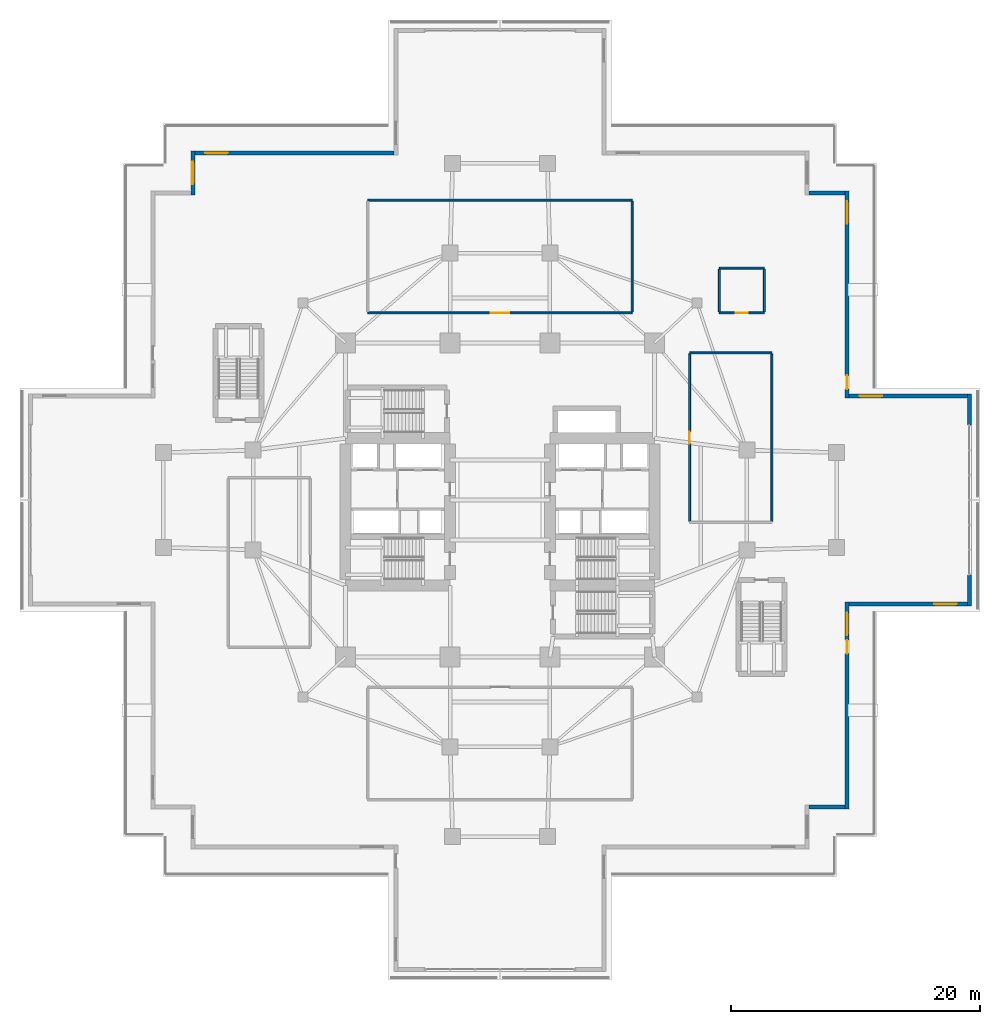
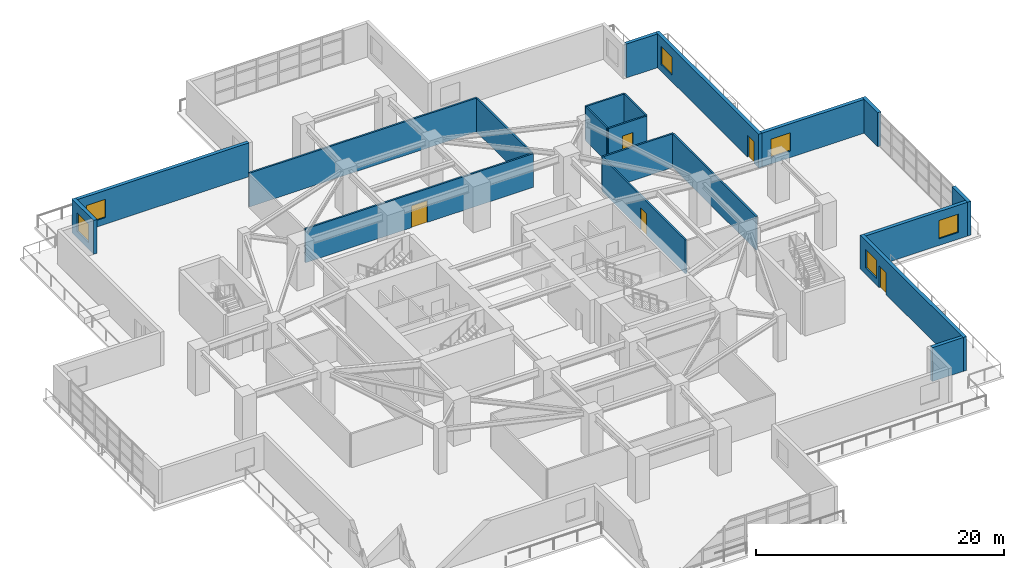
# One storey, part 15 of 23: 20 walls, 6 windows, 5 doors, 11 openings.
"""IFC4 building model written with IfcOpenShell, lengths in metres."""

import ifcopenshell
import ifcopenshell.guid

model = None  # the IFC model being written
_history = None  # IfcOwnerHistory: only IFC2X3 demands one
_inside = {}  # id of a spatial element -> (the spatial element, [elements in it])
_under = {}  # id of a project, library or spatial element -> (it, [spatial elements below it])
_declared = {}  # id of a project -> (the project, [libraries it declares])
_typed = {}  # id of a type object -> (the type object, [elements of that type])
_made_of = {}  # id of a material, layer set ... -> (it, [elements and type objects made of it])


def new_model(schema):
    """Start an empty IFC model of exactly this schema.

    Asked for "IFC4X3", IfcOpenShell would pick the latest addendum, in which some entities
    have other attributes; the version numbers below select the first issue.
    IFC2X3 requires an IfcOwnerHistory on every rooted entity: one is made here for all.
    """
    global model, _history
    if schema == "IFC4X3":
        model = ifcopenshell.file(schema_version=(4, 3, 0, 0))
    else:
        model = ifcopenshell.file(schema=schema)
    _inside.clear()
    _under.clear()
    _declared.clear()
    _typed.clear()
    _made_of.clear()
    _history = None
    if model.schema == "IFC2X3":
        org = make("IfcOrganization", Name="unknown")
        user = make(
            "IfcPersonAndOrganization",
            ThePerson=make("IfcPerson", FamilyName="unknown"),
            TheOrganization=org,
        )
        app = make(
            "IfcApplication",
            ApplicationDeveloper=org,
            Version="unknown",
            ApplicationFullName="unknown",
            ApplicationIdentifier="unknown",
        )
        _history = make(
            "IfcOwnerHistory",
            OwningUser=user,
            OwningApplication=app,
            ChangeAction="ADDED",
            CreationDate=0,
        )
    return model


def make(cls, **values):
    """One entity of the class cls with the attributes given. An attribute that is None is left unset."""
    return model.create_entity(
        cls, **{name: value for name, value in values.items() if value is not None}
    )


def rooted(cls, **values):
    """An entity with a GlobalId (a new one), such as an element, a storey or a relation."""
    return make(cls, GlobalId=ifcopenshell.guid.new(), OwnerHistory=_history, **values)


def si_unit(unit_type, name, prefix=None):
    """IfcSIUnit, for example si_unit("LENGTHUNIT", "METRE", prefix="MILLI")."""
    return make("IfcSIUnit", UnitType=unit_type, Prefix=prefix, Name=name)


def assignment(units):
    """IfcUnitAssignment: the units of a project."""
    return None if units is None else make("IfcUnitAssignment", Units=units)


def point(xyz):
    """IfcCartesianPoint."""
    return None if xyz is None else make("IfcCartesianPoint", Coordinates=xyz)


def direction(xyz):
    """IfcDirection."""
    return None if xyz is None else make("IfcDirection", DirectionRatios=xyz)


def frame(location, z_axis=None, x_axis=None):
    """IfcAxis2Placement3D, a coordinate frame: its origin and axes. An axis left out is left unset."""
    return make(
        "IfcAxis2Placement3D",
        Location=point(location),
        Axis=direction(z_axis),
        RefDirection=direction(x_axis),
    )


def frame_2d(location, x_axis=None):
    """IfcAxis2Placement2D, a coordinate frame in the plane: its origin and x axis."""
    return make(
        "IfcAxis2Placement2D", Location=point(location), RefDirection=direction(x_axis)
    )


def origin():
    """The frame at (0, 0, 0) with its axes left unset."""
    return frame((0.0, 0.0, 0.0))


def place(relative_to, where):
    """IfcLocalPlacement: puts the frame where relative to a parent placement (None: the world)."""
    return make(
        "IfcLocalPlacement", PlacementRelTo=relative_to, RelativePlacement=where
    )


def context(
    kind, dimensions, precision=None, world=None, true_north=None, identifier=None
):
    """IfcGeometricRepresentationContext, for example the 3D "Model" context."""
    return make(
        "IfcGeometricRepresentationContext",
        ContextIdentifier=identifier,
        ContextType=kind,
        CoordinateSpaceDimension=dimensions,
        Precision=precision,
        WorldCoordinateSystem=world,
        TrueNorth=true_north,
    )


def subcontext(parent, identifier, kind, view, scale=None):
    """IfcGeometricRepresentationSubContext, for example "Body" below "Model"."""
    return make(
        "IfcGeometricRepresentationSubContext",
        ContextIdentifier=identifier,
        ContextType=kind,
        ParentContext=parent,
        TargetScale=scale,
        TargetView=view,
    )


def project(units=None, contexts=None):
    """IfcProject with its units and contexts."""
    return rooted(
        "IfcProject",
        Name="project",
        RepresentationContexts=contexts,
        UnitsInContext=assignment(units),
    )


def spatial(cls, under=None, at=None, **own):
    """A site, building, storey or space (cls), placed at a placement, below another one or the project."""
    s = rooted(cls, ObjectPlacement=at, **own)
    if under is not None:
        _under.setdefault(under.id(), (under, []))[1].append(s)
    return s


def profile(cls, at=None, kind="AREA", **sizes):
    """A parametric profile (cls). Its sizes go by their IFC names, for example OverallWidth=200.0."""
    return make(cls, ProfileType=kind, Position=at, **sizes)


def rectangle(**sizes):
    """IfcRectangleProfileDef."""
    return profile("IfcRectangleProfileDef", **sizes)


def extrude(swept, where, along, depth):
    """IfcExtrudedAreaSolid: the profile swept, set in the frame where, extruded along a direction by depth."""
    return make(
        "IfcExtrudedAreaSolid",
        SweptArea=swept,
        Position=where,
        ExtrudedDirection=direction(along),
        Depth=depth,
    )


def shape(context_of_items, identifier, shape_type, items):
    """IfcShapeRepresentation: the items that make up one representation, for example the "Body"."""
    return make(
        "IfcShapeRepresentation",
        ContextOfItems=context_of_items,
        RepresentationIdentifier=identifier,
        RepresentationType=shape_type,
        Items=items,
    )


def material(Name=None, Category=None):
    """IfcMaterial."""
    return make("IfcMaterial", Name=Name, Category=Category)


def layer(
    of_material, thickness, ventilated=None, Name=None, Category=None, Priority=None
):
    """IfcMaterialLayer: one layer of a wall or slab, of a material (None: an air gap)."""
    return make(
        "IfcMaterialLayer",
        Material=of_material,
        LayerThickness=thickness,
        IsVentilated=ventilated,
        Name=Name,
        Category=Category,
        Priority=Priority,
    )


def layer_set(layers, Name=None):
    """IfcMaterialLayerSet."""
    return make("IfcMaterialLayerSet", MaterialLayers=layers, LayerSetName=Name)


def made_of(thing, what):
    """Note that an element or type object is made of a material, layer set ...; save() writes the relation."""
    if what is not None:
        _made_of.setdefault(what.id(), (what, []))[1].append(thing)
    return thing


def type_object(cls, material=None, **own):
    """A type object (cls), such as IfcWallType, which elements share."""
    return made_of(rooted(cls, **own), material)


def element(
    cls,
    number,
    at=None,
    inside=None,
    cuts=None,
    type_object=None,
    material=None,
    context=None,
    identifier="Body",
    shape_type=None,
    held_by="IfcProductDefinitionShape",
    body=None,
    shapes=None,
    **own,
):
    """One element of the class cls, such as IfcWall. Its Tag is "e" and its number.

    at: its placement. inside: the storey or other place that contains it. cuts: it is an
    opening in that element (IfcRelVoidsElement). A single representation is given by context,
    identifier, shape_type and body (its items); several are given by shapes. held_by: the class
    of the entity that holds the representations. save() writes the other relations.
    """
    e = rooted(cls, Tag="e%d" % number, ObjectPlacement=at, **own)
    if body is not None:
        shapes = [shape(context, identifier, shape_type, body)]
    if shapes is not None:
        e.Representation = make(held_by, Representations=shapes)
    if inside is not None:
        _inside.setdefault(inside.id(), (inside, []))[1].append(e)
    if cuts is not None:
        rooted(
            "IfcRelVoidsElement", RelatingBuildingElement=cuts, RelatedOpeningElement=e
        )
    if type_object is not None:
        _typed.setdefault(type_object.id(), (type_object, []))[1].append(e)
    return made_of(e, material)


def fill(opening, filler):
    """IfcRelFillsElement: the door or window that sits in an opening."""
    return rooted(
        "IfcRelFillsElement",
        RelatingOpeningElement=opening,
        RelatedBuildingElement=filler,
    )


def aggregate(whole, parts):
    """IfcRelAggregates: a whole, such as a stair, and the parts it consists of."""
    return rooted("IfcRelAggregates", RelatingObject=whole, RelatedObjects=parts)


def save(model, path):
    """Write the relations noted so far, then the file.

    IfcRelAggregates (storeys below a building ...), IfcRelContainedInSpatialStructure (elements
    in a storey), IfcRelDefinesByType, IfcRelAssociatesMaterial and IfcRelDeclares: one each for
    every whole, place, type object, material and project.
    """
    for whole, parts in _under.values():
        aggregate(whole, parts)
    for where, things in _inside.values():
        rooted(
            "IfcRelContainedInSpatialStructure",
            RelatedElements=things,
            RelatingStructure=where,
        )
    for kind, things in _typed.values():
        rooted("IfcRelDefinesByType", RelatedObjects=things, RelatingType=kind)
    for what, things in _made_of.values():
        rooted("IfcRelAssociatesMaterial", RelatedObjects=things, RelatingMaterial=what)
    for by, libraries in _declared.values():
        rooted("IfcRelDeclares", RelatingContext=by, RelatedDefinitions=libraries)
    model.write(path)


model = new_model("IFC4")

# Units and contexts
model_context = context("Model", 3, precision=1e-05, world=origin(), true_north=direction((0.0, 1.0)))
body_context = subcontext(model_context, "Body", "Model", "MODEL_VIEW")
ifc_project = project(units=[si_unit("LENGTHUNIT", "METRE"), si_unit("AREAUNIT", "SQUARE_METRE"), si_unit("VOLUMEUNIT", "CUBIC_METRE"), si_unit("PLANEANGLEUNIT", "RADIAN"), si_unit("MASSUNIT", "GRAM", prefix="KILO")], contexts=[model_context])

# Site, building, storey
site_placement = place(None, origin())
site = spatial("IfcSite", under=ifc_project, at=site_placement, CompositionType="ELEMENT")
building_placement = place(site_placement, origin())
building = spatial("IfcBuilding", under=site, at=building_placement, Name="Qingluan Cross Belvedere", CompositionType="ELEMENT")
storey_placement = place(building_placement, frame((0.0, 0.0, 10.199951171875)))
storey = spatial("IfcBuildingStorey", under=building, at=storey_placement, Name="L03", CompositionType="ELEMENT", Elevation=10.199951171875)

# Wall, opening, door
ifc_material_1 = material(Name="Gypsum plasterboard on steel stud acoustic partition", Category="steel")
ifc_layer_1 = layer(ifc_material_1, 0.159912109375, Name="CorridorPartition_160")
ifc_layer_set_1 = layer_set([ifc_layer_1], Name="Gypsum plasterboard on steel stud acoustic partition")
wall_type_1 = type_object("IfcWallType", Name="CorridorPartition_160", PredefinedType="PARTITIONING", material=ifc_layer_set_1)
wall_1_placement = place(storey_placement, frame((-10.60009765625, 15.0, 0.0), z_axis=(0.0, 0.0, 1.0), x_axis=(1.0, 0.0, 0.0)))
wall_1 = element("IfcWall", 1, at=wall_1_placement, inside=storey, type_object=wall_type_1, Name="Partition L03:pod_n:S", PredefinedType="PARTITIONING", context=body_context, shape_type="SweptSolid", body=[
    extrude(rectangle(XDim=21.2001953125, YDim=0.159912109375, at=frame_2d((10.60009765625, 0.0))), origin(), (0.0, 0.0, 1.0), 3.320068359375),
])
opening_1_placement = place(wall_1_placement, frame((9.85009765625, 0.0, 0.0)))
opening_1 = element("IfcOpeningElement", 2, at=opening_1_placement, cuts=wall_1, Name="Opening FD-A15", PredefinedType="OPENING", context=body_context, shape_type="SweptSolid", body=[
    extrude(rectangle(XDim=1.5, YDim=2.14990234375, at=frame_2d((0.75, 1.074951171875))), frame((0.0, 0.08984375, 0.0), z_axis=(0.0, -1.0, 0.0), x_axis=(1.0, 0.0, 0.0)), (0.0, 0.0, 1.0), 0.179931640625),
])
ifc_material_2 = material(Name="Insulated steel Class A double fire door", Category="steel")
door_type_1 = type_object("IfcDoorType", Name="PlantDoubleFireDoor_FDA", OperationType="DOUBLE_DOOR_SINGLE_SWING", PredefinedType="DOOR", material=ifc_material_2)
door_1_placement = place(opening_1_placement, origin())
door_1 = element("IfcDoor", 3, at=door_1_placement, inside=storey, type_object=door_type_1, Name="Executive boardroom suite North L03 door", OperationType="DOUBLE_DOOR_SINGLE_SWING", OverallHeight=2.14990234375, OverallWidth=1.5, PredefinedType="DOOR", context=body_context, shape_type="SweptSolid", body=[
    extrude(rectangle(XDim=1.5, YDim=2.14990234375, at=frame_2d((0.75, 1.074951171875))), frame((0.0, 0.02490234375, 0.0), z_axis=(0.0, -1.0, 0.0), x_axis=(1.0, 0.0, 0.0)), (0.0, 0.0, 1.0), 0.050048828125),
])
fill(opening_1, door_1)

# Walls
wall_2_placement = place(storey_placement, frame((-10.60009765625, 24.050048828125, 0.0), z_axis=(0.0, 0.0, 1.0), x_axis=(1.0, 0.0, 0.0)))
element("IfcWall", 4, at=wall_2_placement, inside=storey, type_object=wall_type_1, Name="Partition L03:pod_n:N", PredefinedType="PARTITIONING", context=body_context, shape_type="SweptSolid", body=[
    extrude(rectangle(XDim=21.2001953125, YDim=0.159912109375, at=frame_2d((10.60009765625, 0.0))), origin(), (0.0, 0.0, 1.0), 3.320068359375),
])
wall_3_placement = place(storey_placement, frame((10.60009765625, 15.0849609375, 0.0), z_axis=(0.0, 0.0, 1.0), x_axis=(0.0, 1.0, 0.0)))
element("IfcWall", 5, at=wall_3_placement, inside=storey, type_object=wall_type_1, Name="Partition L03:pod_n:E", PredefinedType="PARTITIONING", context=body_context, shape_type="SweptSolid", body=[
    extrude(rectangle(XDim=8.880126953125, YDim=0.159912109375, at=frame_2d((4.43994140625, 0.0))), origin(), (0.0, 0.0, 1.0), 3.320068359375),
])
wall_4_placement = place(storey_placement, frame((15.199951171875, 11.800048828125, 0.0), z_axis=(0.0, 0.0, 1.0), x_axis=(1.0, 0.0, 0.0)))
element("IfcWall", 6, at=wall_4_placement, inside=storey, type_object=wall_type_1, Name="Partition L03:pod_e:N", PredefinedType="PARTITIONING", context=body_context, shape_type="SweptSolid", body=[
    extrude(rectangle(XDim=6.60009765625, YDim=0.159912109375, at=frame_2d((3.300048828125, 0.0))), origin(), (0.0, 0.0, 1.0), 3.320068359375),
])

# Wall, opening, door
wall_5_placement = place(storey_placement, frame((15.199951171875, -1.715087890625, 0.0), z_axis=(0.0, 0.0, 1.0), x_axis=(0.0, 1.0, 0.0)))
wall_5 = element("IfcWall", 7, at=wall_5_placement, inside=storey, type_object=wall_type_1, Name="Partition L03:pod_e:W", PredefinedType="PARTITIONING", context=body_context, shape_type="SweptSolid", body=[
    extrude(rectangle(XDim=13.43017578125, YDim=0.159912109375, at=frame_2d((6.715087890625, 0.0))), origin(), (0.0, 0.0, 1.0), 3.320068359375),
])
opening_2_placement = place(wall_5_placement, frame((6.235107421875, 0.0, 0.0)))
opening_2 = element("IfcOpeningElement", 8, at=opening_2_placement, cuts=wall_5, Name="Opening GD-10", PredefinedType="OPENING", context=body_context, shape_type="SweptSolid", body=[
    extrude(rectangle(XDim=0.9599609375, YDim=2.14990234375, at=frame_2d((0.47998046875, 1.074951171875))), frame((0.0, 0.08984375, 0.0), z_axis=(0.0, -1.0, 0.0), x_axis=(1.0, 0.0, 0.0)), (0.0, 0.0, 1.0), 0.179931640625),
])
ifc_material_3 = material(Name="Timber oak fire-rated acoustic guestroom door", Category="wood")
door_type_2 = type_object("IfcDoorType", Name="GuestEntryDoor_FD60", OperationType="NOTDEFINED", PredefinedType="DOOR", material=ifc_material_3)
door_2_placement = place(opening_2_placement, origin())
door_2 = element("IfcDoor", 9, at=door_2_placement, inside=storey, type_object=door_type_2, Name="Business centre offices East L03 door", OperationType="SINGLE_SWING_RIGHT", OverallHeight=2.14990234375, OverallWidth=0.9599609375, PredefinedType="DOOR", context=body_context, shape_type="SweptSolid", body=[
    extrude(rectangle(XDim=0.9599609375, YDim=2.14990234375, at=frame_2d((0.47998046875, 1.074951171875))), frame((0.0, 0.02490234375, 0.0), z_axis=(0.0, -1.0, 0.0), x_axis=(1.0, 0.0, 0.0)), (0.0, 0.0, 1.0), 0.050048828125),
])
fill(opening_2, door_2)

# Wall
wall_6_placement = place(storey_placement, frame((21.800048828125, -1.715087890625, 0.0), z_axis=(0.0, 0.0, 1.0), x_axis=(0.0, 1.0, 0.0)))
element("IfcWall", 10, at=wall_6_placement, inside=storey, type_object=wall_type_1, Name="Partition L03:pod_e:E", PredefinedType="PARTITIONING", context=body_context, shape_type="SweptSolid", body=[
    extrude(rectangle(XDim=13.43017578125, YDim=0.159912109375, at=frame_2d((6.715087890625, 0.0))), origin(), (0.0, 0.0, 1.0), 3.320068359375),
])

# Wall, opening, door
wall_7_placement = place(storey_placement, frame((17.60009765625, 15.0, 0.0), z_axis=(0.0, 0.0, 1.0), x_axis=(1.0, 0.0, 0.0)))
wall_7 = element("IfcWall", 11, at=wall_7_placement, inside=storey, type_object=wall_type_1, Name="Partition L03:pod_wc:S", PredefinedType="PARTITIONING", context=body_context, shape_type="SweptSolid", body=[
    extrude(rectangle(XDim=3.599853515625, YDim=0.159912109375, at=frame_2d((1.7998046875, 0.0))), origin(), (0.0, 0.0, 1.0), 3.320068359375),
])
opening_3_placement = place(wall_7_placement, frame((1.320068359375, 0.0, 0.0)))
opening_3 = element("IfcOpeningElement", 12, at=opening_3_placement, cuts=wall_7, Name="Opening GD-10", PredefinedType="OPENING", context=body_context, shape_type="SweptSolid", body=[
    extrude(rectangle(XDim=0.9599609375, YDim=2.14990234375, at=frame_2d((0.47998046875, 1.074951171875))), frame((0.0, 0.08984375, 0.0), z_axis=(0.0, -1.0, 0.0), x_axis=(1.0, 0.0, 0.0)), (0.0, 0.0, 1.0), 0.179931640625),
])
door_3_placement = place(opening_3_placement, origin())
door_3 = element("IfcDoor", 13, at=door_3_placement, inside=storey, type_object=door_type_2, Name="Public washrooms L03 door", OperationType="SINGLE_SWING_RIGHT", OverallHeight=2.14990234375, OverallWidth=0.9599609375, PredefinedType="DOOR", context=body_context, shape_type="SweptSolid", body=[
    extrude(rectangle(XDim=0.9599609375, YDim=2.14990234375, at=frame_2d((0.47998046875, 1.074951171875))), frame((0.0, 0.02490234375, 0.0), z_axis=(0.0, -1.0, 0.0), x_axis=(1.0, 0.0, 0.0)), (0.0, 0.0, 1.0), 0.050048828125),
])
fill(opening_3, door_3)

# Walls
wall_8_placement = place(storey_placement, frame((17.60009765625, 18.60009765625, 0.0), z_axis=(0.0, 0.0, 1.0), x_axis=(1.0, 0.0, 0.0)))
element("IfcWall", 14, at=wall_8_placement, inside=storey, type_object=wall_type_1, Name="Partition L03:pod_wc:N", PredefinedType="PARTITIONING", context=body_context, shape_type="SweptSolid", body=[
    extrude(rectangle(XDim=3.599853515625, YDim=0.159912109375, at=frame_2d((1.7998046875, 0.0))), origin(), (0.0, 0.0, 1.0), 3.320068359375),
])
for number, where, z_axis, x_axis, name in (
    (15, (17.60009765625, 15.0849609375, 0.0), (0.0, 0.0, 1.0), (0.0, 1.0, 0.0), "Partition L03:pod_wc:W"),
    (16, (21.199951171875, 15.0849609375, 0.0), (0.0, 0.0, 1.0), (0.0, 1.0, 0.0), "Partition L03:pod_wc:E"),
):
    element("IfcWall", number, at=place(storey_placement, frame(where, z_axis=z_axis, x_axis=x_axis)), inside=storey, type_object=wall_type_1, Name=name, PredefinedType="PARTITIONING", context=body_context, shape_type="SweptSolid", body=[
        extrude(rectangle(XDim=3.429931640625, YDim=0.159912109375, at=frame_2d((1.71484375, 0.0))), origin(), (0.0, 0.0, 1.0), 3.320068359375),
    ])

# Wall, opening, window
ifc_material_4 = material(Name="Precast concrete C45", Category="concrete")
ifc_layer_2 = layer(ifc_material_4, 0.320068359375, Name="PrecastPodiumWall_320")
ifc_layer_set_2 = layer_set([ifc_layer_2], Name="Precast concrete C45")
wall_type_2 = type_object("IfcWallType", Name="PrecastPodiumWall_320", PredefinedType="STANDARD", material=ifc_layer_set_2)
wall_9_placement = place(storey_placement, frame((-24.639892578125, 24.47998046875, 0.0), z_axis=(0.0, 0.0, 1.0), x_axis=(0.0, 1.0, 0.0)))
wall_9 = element("IfcWall", 17, at=wall_9_placement, inside=storey, type_object=wall_type_2, Name="Podium precast facade wall L03-S16", PredefinedType="STANDARD", context=body_context, shape_type="SweptSolid", body=[
    extrude(rectangle(XDim=3.52001953125, YDim=0.320068359375, at=frame_2d((1.760009765625, 0.0))), origin(), (0.0, 0.0, 1.0), 3.330078125),
])
opening_4_placement = place(wall_9_placement, frame((0.85009765625, 0.0, 0.64990234375)))
opening_4 = element("IfcOpeningElement", 18, at=opening_4_placement, cuts=wall_9, Name="Opening W-06", PredefinedType="OPENING", context=body_context, shape_type="SweptSolid", body=[
    extrude(rectangle(XDim=1.800048828125, YDim=1.800048828125, at=frame_2d((0.89990234375, 0.89990234375))), frame((0.0, 0.169921875, 0.0), z_axis=(0.0, -1.0, 0.0), x_axis=(1.0, 0.0, 0.0)), (0.0, 0.0, 1.0), 0.340087890625),
])
ifc_material_5 = material(Name="Thermally broken triple Low-E glass in aluminium frame", Category="aluminium")
window_type = type_object("IfcWindowType", Name="PodiumGalleryWin_1800x1800", PartitioningType="SINGLE_PANEL", PredefinedType="WINDOW", material=ifc_material_5)
window_1_placement = place(opening_4_placement, origin())
window_1 = element("IfcWindow", 19, at=window_1_placement, inside=storey, type_object=window_type, Name="Podium gallery window L03-S16", OverallHeight=1.800048828125, OverallWidth=1.800048828125, PartitioningType="SINGLE_PANEL", PredefinedType="WINDOW", context=body_context, shape_type="SweptSolid", body=[
    extrude(rectangle(XDim=1.800048828125, YDim=1.800048828125, at=frame_2d((0.89990234375, 0.89990234375))), frame((0.0, 0.030029296875, 0.0), z_axis=(0.0, -1.0, 0.0), x_axis=(1.0, 0.0, 0.0)), (0.0, 0.0, 1.0), 0.06005859375),
])
fill(opening_4, window_1)

wall_10_placement = place(storey_placement, frame((-24.47998046875, 27.840087890625, 0.0), z_axis=(0.0, 0.0, 1.0), x_axis=(1.0, 0.0, 0.0)))
wall_10 = element("IfcWall", 20, at=wall_10_placement, inside=storey, type_object=wall_type_2, Name="Podium precast facade wall L03-S17", PredefinedType="STANDARD", context=body_context, shape_type="SweptSolid", body=[
    extrude(rectangle(XDim=15.97998046875, YDim=0.320068359375, at=frame_2d((7.989990234375, 0.0))), origin(), (0.0, 0.0, 1.0), 3.330078125),
])
opening_5_placement = place(wall_10_placement, frame((0.85009765625, 0.0, 0.64990234375)))
opening_5 = element("IfcOpeningElement", 21, at=opening_5_placement, cuts=wall_10, Name="Opening W-06", PredefinedType="OPENING", context=body_context, shape_type="SweptSolid", body=[
    extrude(rectangle(XDim=1.800048828125, YDim=1.800048828125, at=frame_2d((0.89990234375, 0.89990234375))), frame((0.0, 0.169921875, 0.0), z_axis=(0.0, -1.0, 0.0), x_axis=(1.0, 0.0, 0.0)), (0.0, 0.0, 1.0), 0.340087890625),
])
window_2_placement = place(opening_5_placement, origin())
window_2 = element("IfcWindow", 22, at=window_2_placement, inside=storey, type_object=window_type, Name="Podium gallery window L03-S17", OverallHeight=1.800048828125, OverallWidth=1.800048828125, PartitioningType="SINGLE_PANEL", PredefinedType="WINDOW", context=body_context, shape_type="SweptSolid", body=[
    extrude(rectangle(XDim=1.800048828125, YDim=1.800048828125, at=frame_2d((0.89990234375, 0.89990234375))), frame((0.0, 0.030029296875, 0.0), z_axis=(0.0, -1.0, 0.0), x_axis=(1.0, 0.0, 0.0)), (0.0, 0.0, 1.0), 0.06005859375),
])
fill(opening_5, window_2)

# Wall
wall_11_placement = place(storey_placement, frame((24.800048828125, 24.639892578125, 0.0), z_axis=(0.0, 0.0, 1.0), x_axis=(1.0, 0.0, 0.0)))
element("IfcWall", 23, at=wall_11_placement, inside=storey, type_object=wall_type_2, Name="Podium precast facade wall L03-S24", PredefinedType="STANDARD", context=body_context, shape_type="SweptSolid", body=[
    extrude(rectangle(XDim=2.8798828125, YDim=0.320068359375, at=frame_2d((1.43994140625, 0.0))), origin(), (0.0, 0.0, 1.0), 3.330078125),
])

# Wall, openings, window, door
wall_12_placement = place(storey_placement, frame((27.840087890625, 24.800048828125, 0.0), z_axis=(0.0, 0.0, 1.0), x_axis=(0.0, -1.0, 0.0)))
wall_12 = element("IfcWall", 24, at=wall_12_placement, inside=storey, type_object=wall_type_2, Name="Podium precast facade wall L03-S25", PredefinedType="STANDARD", context=body_context, shape_type="SweptSolid", body=[
    extrude(rectangle(XDim=16.6201171875, YDim=0.320068359375, at=frame_2d((8.31005859375, 0.0))), origin(), (0.0, 0.0, 1.0), 3.330078125),
])
opening_6_placement = place(wall_12_placement, frame((0.85009765625, 0.0, 0.64990234375)))
opening_6 = element("IfcOpeningElement", 25, at=opening_6_placement, cuts=wall_12, Name="Opening W-06", PredefinedType="OPENING", context=body_context, shape_type="SweptSolid", body=[
    extrude(rectangle(XDim=1.800048828125, YDim=1.800048828125, at=frame_2d((0.89990234375, 0.89990234375))), frame((0.0, 0.169921875, 0.0), z_axis=(0.0, -1.0, 0.0), x_axis=(1.0, 0.0, 0.0)), (0.0, 0.0, 1.0), 0.340087890625),
])
opening_7_placement = place(wall_12_placement, frame((14.800048828125, 0.0, 0.0)))
opening_7 = element("IfcOpeningElement", 26, at=opening_7_placement, cuts=wall_12, Name="Opening TD-11", PredefinedType="OPENING", context=body_context, shape_type="SweptSolid", body=[
    extrude(rectangle(XDim=1.10009765625, YDim=2.14990234375, at=frame_2d((0.550048828125, 1.074951171875))), frame((0.0, 0.169921875, 0.0), z_axis=(0.0, -1.0, 0.0), x_axis=(1.0, 0.0, 0.0)), (0.0, 0.0, 1.0), 0.340087890625),
])
window_3_placement = place(opening_6_placement, origin())
window_3 = element("IfcWindow", 27, at=window_3_placement, inside=storey, type_object=window_type, Name="Podium gallery window L03-S25", OverallHeight=1.800048828125, OverallWidth=1.800048828125, PartitioningType="SINGLE_PANEL", PredefinedType="WINDOW", context=body_context, shape_type="SweptSolid", body=[
    extrude(rectangle(XDim=1.800048828125, YDim=1.800048828125, at=frame_2d((0.89990234375, 0.89990234375))), frame((0.0, 0.030029296875, 0.0), z_axis=(0.0, -1.0, 0.0), x_axis=(1.0, 0.0, 0.0)), (0.0, 0.0, 1.0), 0.06005859375),
])
fill(opening_6, window_3)
ifc_material_6 = material(Name="Thermally broken aluminium and Low-E glass", Category="aluminium")
door_type_3 = type_object("IfcDoorType", Name="TerraceGlazedDoor_1100", OperationType="NOTDEFINED", PredefinedType="DOOR", material=ifc_material_6)
door_4_placement = place(opening_7_placement, origin())
door_4 = element("IfcDoor", 28, at=door_4_placement, inside=storey, type_object=door_type_3, Name="Cascade terrace door L03-1", OperationType="SINGLE_SWING_RIGHT", OverallHeight=2.14990234375, OverallWidth=1.10009765625, PredefinedType="DOOR", context=body_context, shape_type="SweptSolid", body=[
    extrude(rectangle(XDim=1.10009765625, YDim=2.14990234375, at=frame_2d((0.550048828125, 1.074951171875))), frame((0.0, 0.02490234375, 0.0), z_axis=(0.0, -1.0, 0.0), x_axis=(1.0, 0.0, 0.0)), (0.0, 0.0, 1.0), 0.050048828125),
])
fill(opening_7, door_4)

# Wall, opening, window
wall_13_placement = place(storey_placement, frame((28.0, 8.340087890625, 0.0), z_axis=(0.0, 0.0, 1.0), x_axis=(1.0, 0.0, 0.0)))
wall_13 = element("IfcWall", 29, at=wall_13_placement, inside=storey, type_object=wall_type_2, Name="Podium precast facade wall L03-S26", PredefinedType="STANDARD", context=body_context, shape_type="SweptSolid", body=[
    extrude(rectangle(XDim=9.47998046875, YDim=0.320068359375, at=frame_2d((4.739990234375, 0.0))), origin(), (0.0, 0.0, 1.0), 3.330078125),
])
opening_8_placement = place(wall_13_placement, frame((0.85009765625, 0.0, 0.64990234375)))
opening_8 = element("IfcOpeningElement", 30, at=opening_8_placement, cuts=wall_13, Name="Opening W-06", PredefinedType="OPENING", context=body_context, shape_type="SweptSolid", body=[
    extrude(rectangle(XDim=1.800048828125, YDim=1.800048828125, at=frame_2d((0.89990234375, 0.89990234375))), frame((0.0, 0.169921875, 0.0), z_axis=(0.0, -1.0, 0.0), x_axis=(1.0, 0.0, 0.0)), (0.0, 0.0, 1.0), 0.340087890625),
])
window_4_placement = place(opening_8_placement, origin())
window_4 = element("IfcWindow", 31, at=window_4_placement, inside=storey, type_object=window_type, Name="Podium gallery window L03-S26", OverallHeight=1.800048828125, OverallWidth=1.800048828125, PartitioningType="SINGLE_PANEL", PredefinedType="WINDOW", context=body_context, shape_type="SweptSolid", body=[
    extrude(rectangle(XDim=1.800048828125, YDim=1.800048828125, at=frame_2d((0.89990234375, 0.89990234375))), frame((0.0, 0.030029296875, 0.0), z_axis=(0.0, -1.0, 0.0), x_axis=(1.0, 0.0, 0.0)), (0.0, 0.0, 1.0), 0.06005859375),
])
fill(opening_8, window_4)

# Walls
for number, where, z_axis, x_axis, name in (
    (32, (37.639892578125, 8.5, 0.0), (0.0, 0.0, 1.0), (0.0, -1.0, 0.0), "Podium portal pier L03-P4JA"),
    (33, (37.639892578125, -6.0, 0.0), (0.0, 0.0, 1.0), (0.0, -1.0, 0.0), "Podium portal pier L03-P4JB"),
):
    element("IfcWall", number, at=place(storey_placement, frame(where, z_axis=z_axis, x_axis=x_axis)), inside=storey, type_object=wall_type_2, Name=name, PredefinedType="STANDARD", context=body_context, shape_type="SweptSolid", body=[
        extrude(rectangle(XDim=2.5, YDim=0.320068359375, at=frame_2d((1.25, 0.0))), origin(), (0.0, 0.0, 1.0), 3.330078125),
    ])

# Wall, opening, window
wall_14_placement = place(storey_placement, frame((37.47998046875, -8.340087890625, 0.0), z_axis=(0.0, 0.0, 1.0), x_axis=(-1.0, 0.0, 0.0)))
wall_14 = element("IfcWall", 34, at=wall_14_placement, inside=storey, type_object=wall_type_2, Name="Podium precast facade wall L03-S29", PredefinedType="STANDARD", context=body_context, shape_type="SweptSolid", body=[
    extrude(rectangle(XDim=9.47998046875, YDim=0.320068359375, at=frame_2d((4.739990234375, 0.0))), origin(), (0.0, 0.0, 1.0), 3.330078125),
])
opening_9_placement = place(wall_14_placement, frame((0.85009765625, 0.0, 0.64990234375)))
opening_9 = element("IfcOpeningElement", 35, at=opening_9_placement, cuts=wall_14, Name="Opening W-06", PredefinedType="OPENING", context=body_context, shape_type="SweptSolid", body=[
    extrude(rectangle(XDim=1.800048828125, YDim=1.800048828125, at=frame_2d((0.89990234375, 0.89990234375))), frame((0.0, 0.169921875, 0.0), z_axis=(0.0, -1.0, 0.0), x_axis=(1.0, 0.0, 0.0)), (0.0, 0.0, 1.0), 0.340087890625),
])
window_5_placement = place(opening_9_placement, origin())
window_5 = element("IfcWindow", 36, at=window_5_placement, inside=storey, type_object=window_type, Name="Podium gallery window L03-S29", OverallHeight=1.800048828125, OverallWidth=1.800048828125, PartitioningType="SINGLE_PANEL", PredefinedType="WINDOW", context=body_context, shape_type="SweptSolid", body=[
    extrude(rectangle(XDim=1.800048828125, YDim=1.800048828125, at=frame_2d((0.89990234375, 0.89990234375))), frame((0.0, 0.030029296875, 0.0), z_axis=(0.0, -1.0, 0.0), x_axis=(1.0, 0.0, 0.0)), (0.0, 0.0, 1.0), 0.06005859375),
])
fill(opening_9, window_5)

# Wall, openings, window, door
wall_15_placement = place(storey_placement, frame((27.840087890625, -8.179931640625, 0.0), z_axis=(0.0, 0.0, 1.0), x_axis=(0.0, -1.0, 0.0)))
wall_15 = element("IfcWall", 37, at=wall_15_placement, inside=storey, type_object=wall_type_2, Name="Podium precast facade wall L03-S30", PredefinedType="STANDARD", context=body_context, shape_type="SweptSolid", body=[
    extrude(rectangle(XDim=16.6201171875, YDim=0.320068359375, at=frame_2d((8.31005859375, 0.0))), origin(), (0.0, 0.0, 1.0), 3.330078125),
])
opening_10_placement = place(wall_15_placement, frame((0.85009765625, 0.0, 0.64990234375)))
opening_10 = element("IfcOpeningElement", 38, at=opening_10_placement, cuts=wall_15, Name="Opening W-06", PredefinedType="OPENING", context=body_context, shape_type="SweptSolid", body=[
    extrude(rectangle(XDim=1.800048828125, YDim=1.800048828125, at=frame_2d((0.89990234375, 0.89990234375))), frame((0.0, 0.169921875, 0.0), z_axis=(0.0, -1.0, 0.0), x_axis=(1.0, 0.0, 0.0)), (0.0, 0.0, 1.0), 0.340087890625),
])
opening_11_placement = place(wall_15_placement, frame((3.050048828125, 0.0, 0.0)))
opening_11 = element("IfcOpeningElement", 39, at=opening_11_placement, cuts=wall_15, Name="Opening TD-11", PredefinedType="OPENING", context=body_context, shape_type="SweptSolid", body=[
    extrude(rectangle(XDim=1.10009765625, YDim=2.14990234375, at=frame_2d((0.550048828125, 1.074951171875))), frame((0.0, 0.169921875, 0.0), z_axis=(0.0, -1.0, 0.0), x_axis=(1.0, 0.0, 0.0)), (0.0, 0.0, 1.0), 0.340087890625),
])
window_6_placement = place(opening_10_placement, origin())
window_6 = element("IfcWindow", 40, at=window_6_placement, inside=storey, type_object=window_type, Name="Podium gallery window L03-S30", OverallHeight=1.800048828125, OverallWidth=1.800048828125, PartitioningType="SINGLE_PANEL", PredefinedType="WINDOW", context=body_context, shape_type="SweptSolid", body=[
    extrude(rectangle(XDim=1.800048828125, YDim=1.800048828125, at=frame_2d((0.89990234375, 0.89990234375))), frame((0.0, 0.030029296875, 0.0), z_axis=(0.0, -1.0, 0.0), x_axis=(1.0, 0.0, 0.0)), (0.0, 0.0, 1.0), 0.06005859375),
])
fill(opening_10, window_6)
door_5_placement = place(opening_11_placement, origin())
door_5 = element("IfcDoor", 41, at=door_5_placement, inside=storey, type_object=door_type_3, Name="Cascade terrace door L03-4", OperationType="SINGLE_SWING_LEFT", OverallHeight=2.14990234375, OverallWidth=1.10009765625, PredefinedType="DOOR", context=body_context, shape_type="SweptSolid", body=[
    extrude(rectangle(XDim=1.10009765625, YDim=2.14990234375, at=frame_2d((0.550048828125, 1.074951171875))), frame((0.0, 0.02490234375, 0.0), z_axis=(0.0, -1.0, 0.0), x_axis=(1.0, 0.0, 0.0)), (0.0, 0.0, 1.0), 0.050048828125),
])
fill(opening_11, door_5)

# Wall
wall_16_placement = place(storey_placement, frame((27.679931640625, -24.639892578125, 0.0), z_axis=(0.0, 0.0, 1.0), x_axis=(-1.0, 0.0, 0.0)))
element("IfcWall", 42, at=wall_16_placement, inside=storey, type_object=wall_type_2, Name="Podium precast facade wall L03-S31", PredefinedType="STANDARD", context=body_context, shape_type="SweptSolid", body=[
    extrude(rectangle(XDim=2.8798828125, YDim=0.320068359375, at=frame_2d((1.43994140625, 0.0))), origin(), (0.0, 0.0, 1.0), 3.330078125),
])

save(model, "model.ifc")
